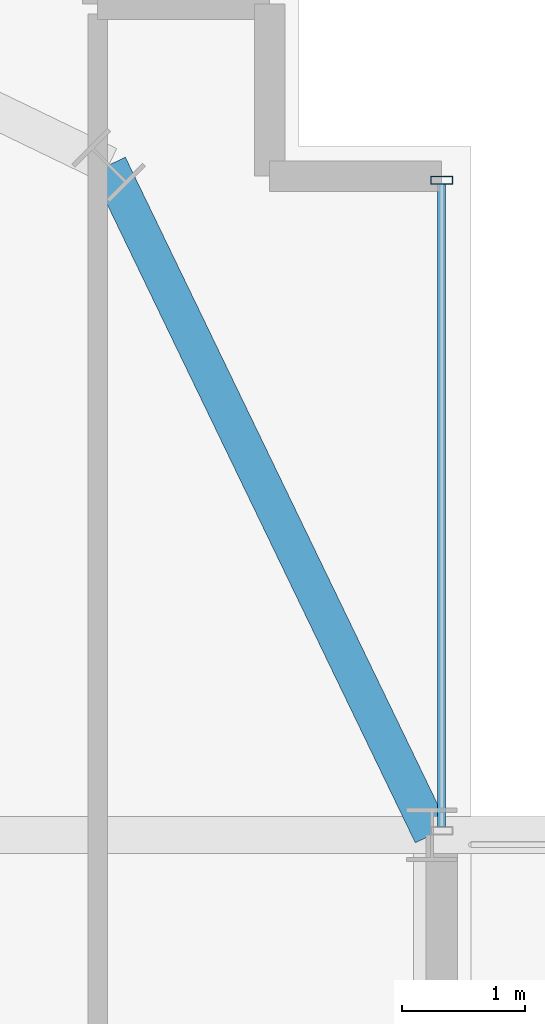
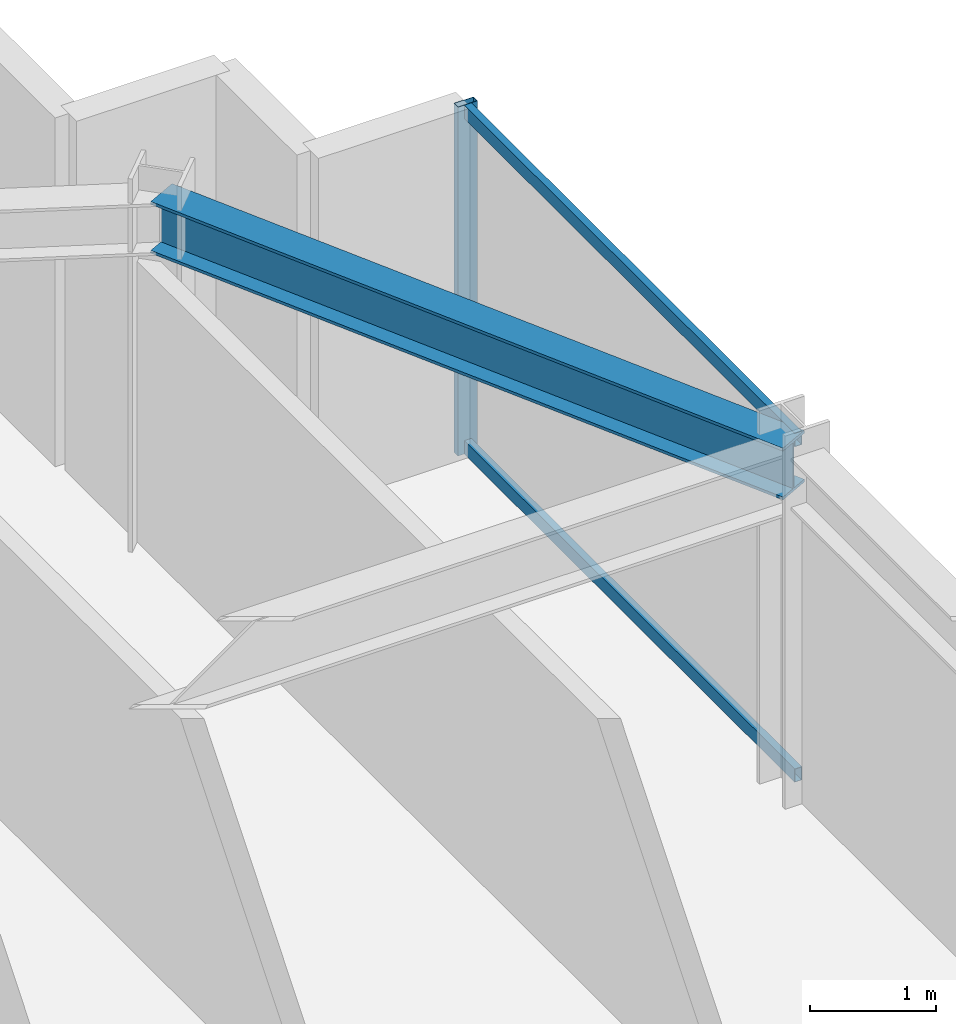
# One storey, part 28 of 36: 3 members, 1 beam, 1 element without a shape of its own.
"""IFC4 building model written with IfcOpenShell, lengths in metres."""

from ifc_helpers import new_model, si_unit, direction, frame, origin, origin_2d, place, context, subcontext, project, spatial, hollow_rectangle, i_section, extrude, source, transform, mapped, material, material_profile, profile_set, type_object, element, aggregate, save


model = new_model("IFC4")

# Units and contexts
model_context = context("Model", 3, precision=1e-05, world=origin(), true_north=direction((0.0, 1.0)))
body_context = subcontext(model_context, "Body", "Model", "MODEL_VIEW")
ifc_project = project(units=[si_unit("LENGTHUNIT", "METRE"), si_unit("AREAUNIT", "SQUARE_METRE"), si_unit("VOLUMEUNIT", "CUBIC_METRE"), si_unit("PLANEANGLEUNIT", "RADIAN"), si_unit("MASSUNIT", "GRAM", prefix="KILO")], contexts=[model_context])

# Site, building, storey
site_placement = place(None, origin())
site = spatial("IfcSite", under=ifc_project, at=site_placement, CompositionType="ELEMENT")
building_placement = place(site_placement, origin())
building = spatial("IfcBuilding", under=site, at=building_placement, Name="Nahalor Promenade Grand Hotel", CompositionType="ELEMENT")
storey_placement = place(building_placement, frame((0.0, 0.0, 72.550048828125)))
storey = spatial("IfcBuildingStorey", under=building, at=storey_placement, Name="L17", CompositionType="ELEMENT", Elevation=72.550048828125)

# Beam
ifc_material_1 = material(Name="Steel S355JR", Category="steel")
ifc_material_profile_1 = material_profile(ifc_material_1, i_section(OverallWidth=0.3, OverallDepth=0.5, WebThickness=0.0145, FlangeThickness=0.028, at=origin_2d()), Name="HEB 500")
ifc_profile_set_1 = profile_set([ifc_material_profile_1], Name="Steel S355JR")
beam_type = type_object("IfcBeamType", Name="Beam-Spandrel-HEB500", PredefinedType="SPANDREL", material=ifc_profile_set_1)
shared_shape_1 = source(origin(), body_context, "Body", "SweptSolid", [
    extrude(i_section(OverallWidth=0.3, OverallDepth=0.5, WebThickness=0.0145, FlangeThickness=0.028, at=origin_2d()), origin(), (0.0, 0.0, 1.0), 6.051513671875),
])
beam_placement = place(storey_placement, frame((22.449951171875, 22.449951171875, 3.119873046875), z_axis=(0.434630596492, -0.900608818852, 0.0), x_axis=(0.900608818852, 0.434630596492, 0.0)))
element("IfcBeam", 1, at=beam_placement, inside=storey, type_object=beam_type, Name="BM-L17-SPC-NE-2", PredefinedType="SPANDREL", context=body_context, shape_type="MappedRepresentation", body=[
    mapped(shared_shape_1, transform((0.0, 0.0, 0.0), scale=1.0)),
])

# Curtain wall, members
ifc_material_2 = material(Name="Anodised Bronze Aluminium EN AW-6063 T6", Category="aluminium")
curtain_wall_type = type_object("IfcCurtainWallType", Name="CW2 Typical Hotel Flush Bronze Unitised Curtain Wall", PredefinedType="USERDEFINED", material=ifc_material_2)
curtain_wall_placement = place(storey_placement, origin())
curtain_wall = element("IfcCurtainWall", 2, at=curtain_wall_placement, inside=storey, type_object=curtain_wall_type, Name="L17 Curtain Wall CW-L17-E-3", ObjectType="UNITISED_CURTAIN_WALL", PredefinedType="USERDEFINED")
ifc_material_profile_2 = material_profile(ifc_material_2, hollow_rectangle(XDim=0.065, YDim=0.13, WallThickness=0.004, at=origin_2d()), Name="CWT 65x130x4")
ifc_profile_set_2 = profile_set([ifc_material_profile_2], Name="Anodised Bronze Aluminium EN AW-6063 T6")
member_type_1 = type_object("IfcMemberType", Name="CWT2 Typical Bronze Transom 65x130", PredefinedType="USERDEFINED", material=ifc_profile_set_2)
shared_shape_2 = source(origin(), body_context, "Body", "SweptSolid", [
    extrude(hollow_rectangle(XDim=0.065, YDim=0.13, WallThickness=0.004, at=origin_2d()), origin(), (0.0, 0.0, 1.0), 5.22998046875),
])
member_1_placement = place(storey_placement, frame((25.159912109375, 17.06494140625, 0.06494140625), z_axis=(0.0, 1.0, 0.0), x_axis=(-1.0, 0.0, 0.0)))
member_1 = element("IfcMember", 3, at=member_1_placement, type_object=member_type_1, Name="CW-L17-E-3 Transom 0-0", ObjectType="TRANSOM", PredefinedType="USERDEFINED", context=body_context, shape_type="MappedRepresentation", body=[
    mapped(shared_shape_2, transform((0.0, 0.0, 0.0), scale=1.0)),
])
member_2_placement = place(storey_placement, frame((25.159912109375, 17.06494140625, 3.304931640625), z_axis=(0.0, 1.0, 0.0), x_axis=(-1.0, 0.0, 0.0)))
member_2 = element("IfcMember", 4, at=member_2_placement, type_object=member_type_1, Name="CW-L17-E-3 Transom 0-1", ObjectType="TRANSOM", PredefinedType="USERDEFINED", context=body_context, shape_type="MappedRepresentation", body=[
    mapped(shared_shape_2, transform((0.0, 0.0, 0.0), scale=1.0)),
])
ifc_material_profile_3 = material_profile(ifc_material_2, hollow_rectangle(XDim=0.065, YDim=0.18, WallThickness=0.004, at=origin_2d()), Name="CWM 65x180x4")
ifc_profile_set_3 = profile_set([ifc_material_profile_3], Name="Anodised Bronze Aluminium EN AW-6063 T6")
member_type_2 = type_object("IfcMemberType", Name="CWM2 Typical Bronze Mullion 65x180", PredefinedType="MULLION", material=ifc_profile_set_3)
shared_shape_3 = source(origin(), body_context, "Body", "SweptSolid", [
    extrude(hollow_rectangle(XDim=0.065, YDim=0.18, WallThickness=0.004, at=origin_2d()), origin(), (0.0, 0.0, 1.0), 3.369873046875),
])
member_3_placement = place(storey_placement, frame((25.159912109375, 22.327392578125, 0.0), z_axis=(0.0, 0.0, 1.0), x_axis=(0.0, 1.0, 0.0)))
member_3 = element("IfcMember", 5, at=member_3_placement, type_object=member_type_2, Name="CW-L17-E-3 Mullion 1", PredefinedType="MULLION", context=body_context, shape_type="MappedRepresentation", body=[
    mapped(shared_shape_3, transform((0.0, 0.0, 0.0), scale=1.0)),
])
aggregate(curtain_wall, [member_3, member_1, member_2])

save(model, "model.ifc")
